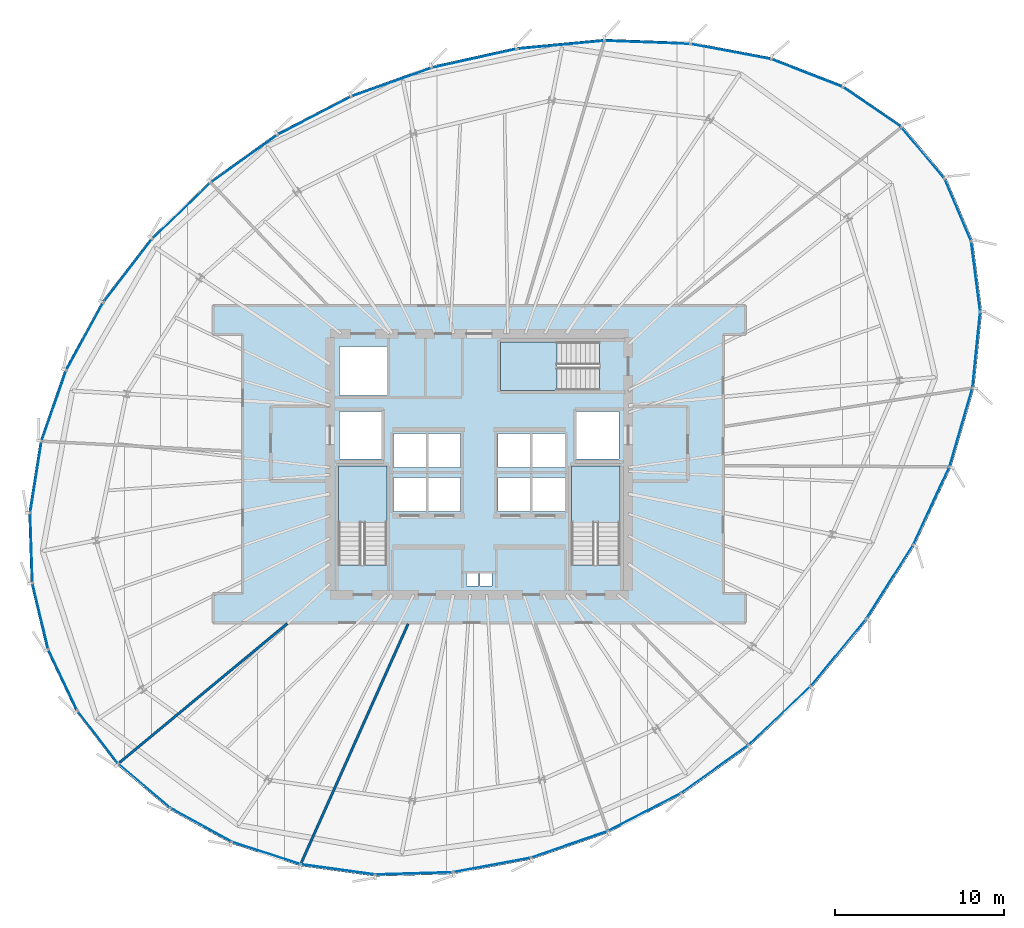
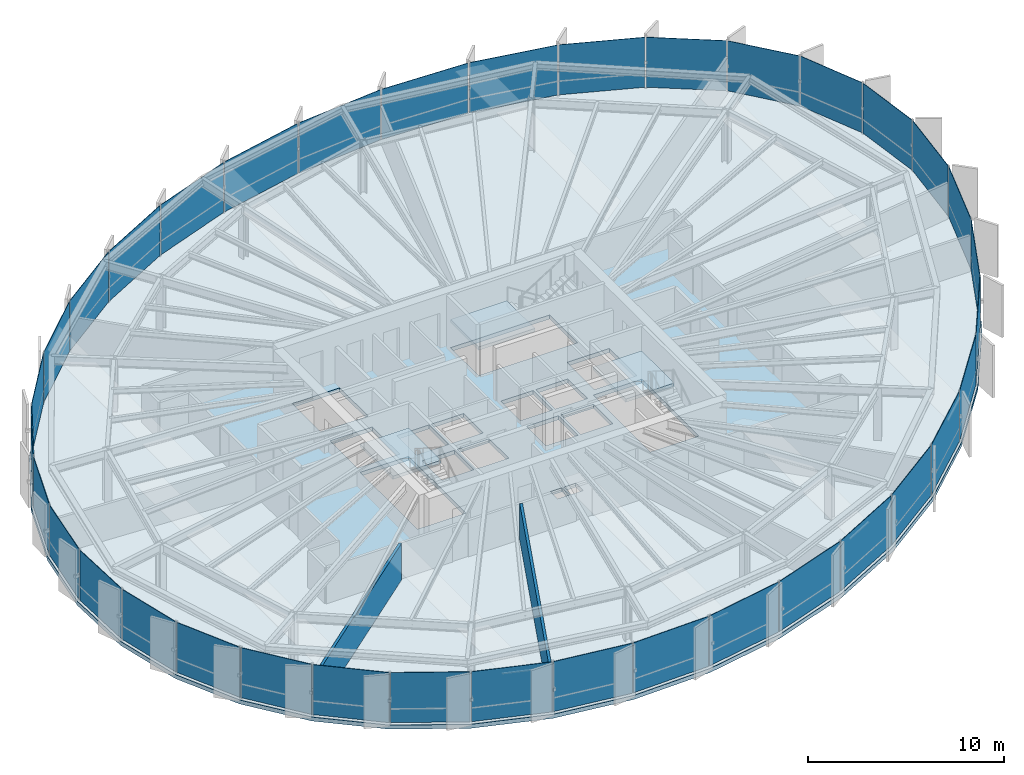
# One storey, part 25 of 32: 36 plates, 4 slabs, 2 walls, 9 elements without a shape of their own.
"""IFC4 building model written with IfcOpenShell, lengths in metres."""

import ifcopenshell
import ifcopenshell.guid

model = None  # the IFC model being written
_history = None  # IfcOwnerHistory: only IFC2X3 demands one
_inside = {}  # id of a spatial element -> (the spatial element, [elements in it])
_under = {}  # id of a project, library or spatial element -> (it, [spatial elements below it])
_declared = {}  # id of a project -> (the project, [libraries it declares])
_typed = {}  # id of a type object -> (the type object, [elements of that type])
_made_of = {}  # id of a material, layer set ... -> (it, [elements and type objects made of it])


def new_model(schema):
    """Start an empty IFC model of exactly this schema.

    Asked for "IFC4X3", IfcOpenShell would pick the latest addendum, in which some entities
    have other attributes; the version numbers below select the first issue.
    IFC2X3 requires an IfcOwnerHistory on every rooted entity: one is made here for all.
    """
    global model, _history
    if schema == "IFC4X3":
        model = ifcopenshell.file(schema_version=(4, 3, 0, 0))
    else:
        model = ifcopenshell.file(schema=schema)
    _inside.clear()
    _under.clear()
    _declared.clear()
    _typed.clear()
    _made_of.clear()
    _history = None
    if model.schema == "IFC2X3":
        org = make("IfcOrganization", Name="unknown")
        user = make(
            "IfcPersonAndOrganization",
            ThePerson=make("IfcPerson", FamilyName="unknown"),
            TheOrganization=org,
        )
        app = make(
            "IfcApplication",
            ApplicationDeveloper=org,
            Version="unknown",
            ApplicationFullName="unknown",
            ApplicationIdentifier="unknown",
        )
        _history = make(
            "IfcOwnerHistory",
            OwningUser=user,
            OwningApplication=app,
            ChangeAction="ADDED",
            CreationDate=0,
        )
    return model


def make(cls, **values):
    """One entity of the class cls with the attributes given. An attribute that is None is left unset."""
    return model.create_entity(
        cls, **{name: value for name, value in values.items() if value is not None}
    )


def rooted(cls, **values):
    """An entity with a GlobalId (a new one), such as an element, a storey or a relation."""
    return make(cls, GlobalId=ifcopenshell.guid.new(), OwnerHistory=_history, **values)


def si_unit(unit_type, name, prefix=None):
    """IfcSIUnit, for example si_unit("LENGTHUNIT", "METRE", prefix="MILLI")."""
    return make("IfcSIUnit", UnitType=unit_type, Prefix=prefix, Name=name)


def assignment(units):
    """IfcUnitAssignment: the units of a project."""
    return None if units is None else make("IfcUnitAssignment", Units=units)


def point(xyz):
    """IfcCartesianPoint."""
    return None if xyz is None else make("IfcCartesianPoint", Coordinates=xyz)


def direction(xyz):
    """IfcDirection."""
    return None if xyz is None else make("IfcDirection", DirectionRatios=xyz)


def frame(location, z_axis=None, x_axis=None):
    """IfcAxis2Placement3D, a coordinate frame: its origin and axes. An axis left out is left unset."""
    return make(
        "IfcAxis2Placement3D",
        Location=point(location),
        Axis=direction(z_axis),
        RefDirection=direction(x_axis),
    )


def frame_2d(location, x_axis=None):
    """IfcAxis2Placement2D, a coordinate frame in the plane: its origin and x axis."""
    return make(
        "IfcAxis2Placement2D", Location=point(location), RefDirection=direction(x_axis)
    )


def origin():
    """The frame at (0, 0, 0) with its axes left unset."""
    return frame((0.0, 0.0, 0.0))


def origin_2d():
    """The frame at (0, 0) in the plane with its x axis left unset."""
    return frame_2d((0.0, 0.0))


def place(relative_to, where):
    """IfcLocalPlacement: puts the frame where relative to a parent placement (None: the world)."""
    return make(
        "IfcLocalPlacement", PlacementRelTo=relative_to, RelativePlacement=where
    )


def context(
    kind, dimensions, precision=None, world=None, true_north=None, identifier=None
):
    """IfcGeometricRepresentationContext, for example the 3D "Model" context."""
    return make(
        "IfcGeometricRepresentationContext",
        ContextIdentifier=identifier,
        ContextType=kind,
        CoordinateSpaceDimension=dimensions,
        Precision=precision,
        WorldCoordinateSystem=world,
        TrueNorth=true_north,
    )


def subcontext(parent, identifier, kind, view, scale=None):
    """IfcGeometricRepresentationSubContext, for example "Body" below "Model"."""
    return make(
        "IfcGeometricRepresentationSubContext",
        ContextIdentifier=identifier,
        ContextType=kind,
        ParentContext=parent,
        TargetScale=scale,
        TargetView=view,
    )


def project(units=None, contexts=None):
    """IfcProject with its units and contexts."""
    return rooted(
        "IfcProject",
        Name="project",
        RepresentationContexts=contexts,
        UnitsInContext=assignment(units),
    )


def spatial(cls, under=None, at=None, **own):
    """A site, building, storey or space (cls), placed at a placement, below another one or the project."""
    s = rooted(cls, ObjectPlacement=at, **own)
    if under is not None:
        _under.setdefault(under.id(), (under, []))[1].append(s)
    return s


def polyline(points):
    """IfcPolyline through the points."""
    return make("IfcPolyline", Points=[point(p) for p in points])


def profile(cls, at=None, kind="AREA", **sizes):
    """A parametric profile (cls). Its sizes go by their IFC names, for example OverallWidth=200.0."""
    return make(cls, ProfileType=kind, Position=at, **sizes)


def rectangle(**sizes):
    """IfcRectangleProfileDef."""
    return profile("IfcRectangleProfileDef", **sizes)


def outline(outer, holes=None, kind="AREA"):
    """IfcArbitraryClosedProfileDef: a profile drawn as a closed curve; with holes, ...WithVoids."""
    if holes is None:
        return make("IfcArbitraryClosedProfileDef", ProfileType=kind, OuterCurve=outer)
    return make(
        "IfcArbitraryProfileDefWithVoids",
        ProfileType=kind,
        OuterCurve=outer,
        InnerCurves=holes,
    )


def extrude(swept, where, along, depth):
    """IfcExtrudedAreaSolid: the profile swept, set in the frame where, extruded along a direction by depth."""
    return make(
        "IfcExtrudedAreaSolid",
        SweptArea=swept,
        Position=where,
        ExtrudedDirection=direction(along),
        Depth=depth,
    )


def shape(context_of_items, identifier, shape_type, items):
    """IfcShapeRepresentation: the items that make up one representation, for example the "Body"."""
    return make(
        "IfcShapeRepresentation",
        ContextOfItems=context_of_items,
        RepresentationIdentifier=identifier,
        RepresentationType=shape_type,
        Items=items,
    )


def source(mapping_origin, context_of_items, identifier, shape_type, items):
    """IfcRepresentationMap: a shape defined once, which mapped items show again and again."""
    return make(
        "IfcRepresentationMap",
        MappingOrigin=mapping_origin,
        MappedRepresentation=shape(context_of_items, identifier, shape_type, items),
    )


def transform(
    local_origin,
    x_axis=None,
    y_axis=None,
    z_axis=None,
    scale=None,
    scale2=None,
    scale3=None,
    uniform=True,
):
    """IfcCartesianTransformationOperator3D, or its non-uniform kind. x_axis, y_axis, z_axis: its Axis1, 2, 3."""
    if uniform:
        return make(
            "IfcCartesianTransformationOperator3D",
            Axis1=direction(x_axis),
            Axis2=direction(y_axis),
            LocalOrigin=point(local_origin),
            Scale=scale,
            Axis3=direction(z_axis),
        )
    return make(
        "IfcCartesianTransformationOperator3DnonUniform",
        Axis1=direction(x_axis),
        Axis2=direction(y_axis),
        LocalOrigin=point(local_origin),
        Scale=scale,
        Axis3=direction(z_axis),
        Scale2=scale2,
        Scale3=scale3,
    )


def mapped(mapping_source, mapping_target):
    """IfcMappedItem: shows the shape of a source again, moved by a transform."""
    return make(
        "IfcMappedItem", MappingSource=mapping_source, MappingTarget=mapping_target
    )


def material(Name=None, Category=None):
    """IfcMaterial."""
    return make("IfcMaterial", Name=Name, Category=Category)


def layer(
    of_material, thickness, ventilated=None, Name=None, Category=None, Priority=None
):
    """IfcMaterialLayer: one layer of a wall or slab, of a material (None: an air gap)."""
    return make(
        "IfcMaterialLayer",
        Material=of_material,
        LayerThickness=thickness,
        IsVentilated=ventilated,
        Name=Name,
        Category=Category,
        Priority=Priority,
    )


def layer_set(layers, Name=None):
    """IfcMaterialLayerSet."""
    return make("IfcMaterialLayerSet", MaterialLayers=layers, LayerSetName=Name)


def made_of(thing, what):
    """Note that an element or type object is made of a material, layer set ...; save() writes the relation."""
    if what is not None:
        _made_of.setdefault(what.id(), (what, []))[1].append(thing)
    return thing


def type_object(cls, material=None, **own):
    """A type object (cls), such as IfcWallType, which elements share."""
    return made_of(rooted(cls, **own), material)


def element(
    cls,
    number,
    at=None,
    inside=None,
    cuts=None,
    type_object=None,
    material=None,
    context=None,
    identifier="Body",
    shape_type=None,
    held_by="IfcProductDefinitionShape",
    body=None,
    shapes=None,
    **own,
):
    """One element of the class cls, such as IfcWall. Its Tag is "e" and its number.

    at: its placement. inside: the storey or other place that contains it. cuts: it is an
    opening in that element (IfcRelVoidsElement). A single representation is given by context,
    identifier, shape_type and body (its items); several are given by shapes. held_by: the class
    of the entity that holds the representations. save() writes the other relations.
    """
    e = rooted(cls, Tag="e%d" % number, ObjectPlacement=at, **own)
    if body is not None:
        shapes = [shape(context, identifier, shape_type, body)]
    if shapes is not None:
        e.Representation = make(held_by, Representations=shapes)
    if inside is not None:
        _inside.setdefault(inside.id(), (inside, []))[1].append(e)
    if cuts is not None:
        rooted(
            "IfcRelVoidsElement", RelatingBuildingElement=cuts, RelatedOpeningElement=e
        )
    if type_object is not None:
        _typed.setdefault(type_object.id(), (type_object, []))[1].append(e)
    return made_of(e, material)


def aggregate(whole, parts):
    """IfcRelAggregates: a whole, such as a stair, and the parts it consists of."""
    return rooted("IfcRelAggregates", RelatingObject=whole, RelatedObjects=parts)


def save(model, path):
    """Write the relations noted so far, then the file.

    IfcRelAggregates (storeys below a building ...), IfcRelContainedInSpatialStructure (elements
    in a storey), IfcRelDefinesByType, IfcRelAssociatesMaterial and IfcRelDeclares: one each for
    every whole, place, type object, material and project.
    """
    for whole, parts in _under.values():
        aggregate(whole, parts)
    for where, things in _inside.values():
        rooted(
            "IfcRelContainedInSpatialStructure",
            RelatedElements=things,
            RelatingStructure=where,
        )
    for kind, things in _typed.values():
        rooted("IfcRelDefinesByType", RelatedObjects=things, RelatingType=kind)
    for what, things in _made_of.values():
        rooted("IfcRelAssociatesMaterial", RelatedObjects=things, RelatingMaterial=what)
    for by, libraries in _declared.values():
        rooted("IfcRelDeclares", RelatingContext=by, RelatedDefinitions=libraries)
    model.write(path)


model = new_model("IFC4")

# Units and contexts
model_context = context("Model", 3, precision=1e-05, world=origin(), true_north=direction((0.0, 1.0)))
body_context = subcontext(model_context, "Body", "Model", "MODEL_VIEW")
ifc_project = project(units=[si_unit("LENGTHUNIT", "METRE"), si_unit("AREAUNIT", "SQUARE_METRE"), si_unit("VOLUMEUNIT", "CUBIC_METRE"), si_unit("PLANEANGLEUNIT", "RADIAN"), si_unit("MASSUNIT", "GRAM", prefix="KILO"), si_unit("THERMODYNAMICTEMPERATUREUNIT", "KELVIN")], contexts=[model_context])

# Site, building, storey
site_placement = place(None, origin())
site = spatial("IfcSite", under=ifc_project, at=site_placement, CompositionType="ELEMENT")
building_placement = place(site_placement, origin())
building = spatial("IfcBuilding", under=site, at=building_placement, Name="Kethvar Cultural Tower", CompositionType="ELEMENT")
storey_placement = place(building_placement, frame((0.0, 0.0, 160.75)))
storey = spatial("IfcBuildingStorey", under=building, at=storey_placement, Name="L41", CompositionType="ELEMENT", Elevation=160.75)

# Stair, slab
ifc_material_1 = material(Name="Concrete C40/50", Category="concrete")
stair_type = type_object("IfcStairType", Name="ST-DOGLEG-135", PredefinedType="HALF_TURN_STAIR", material=ifc_material_1)
stair_1_placement = place(storey_placement, origin())
stair_1 = element("IfcStair", 1, at=stair_1_placement, inside=storey, type_object=stair_type, Name="L41 Core Exit Stair 1", PredefinedType="HALF_TURN_STAIR")
ifc_layer_1 = layer(ifc_material_1, 0.199951171875, Name="Concrete C40/50", Category="concrete")
ifc_layer_set_1 = layer_set([ifc_layer_1], Name="Concrete C40/50 (200 mm)")
slab_type_1 = type_object("IfcSlabType", Name="SL-STAIR-LANDING-200", PredefinedType="LANDING", material=ifc_layer_set_1)
slab_1_placement = place(storey_placement, frame((0.0, 0.0, 1.574951171875)))
slab_1 = element("IfcSlab", 2, at=slab_1_placement, type_object=slab_type_1, Name="ST-01 landing 1", PredefinedType="LANDING", context=body_context, shape_type="SweptSolid", body=[
    extrude(outline(polyline([(41.35009765625, 24.3701171875), (41.35009765625, 27.699951171875), (38.489990234375, 27.699951171875), (38.489990234375, 24.3701171875), (41.35009765625, 24.3701171875)])), origin(), (0.0, 0.0, 1.0), 0.199951171875),
])
aggregate(stair_1, [slab_1])

stair_2_placement = place(storey_placement, origin())
stair_2 = element("IfcStair", 3, at=stair_2_placement, inside=storey, type_object=stair_type, Name="L41 Core Exit Stair 2", PredefinedType="HALF_TURN_STAIR")
slab_2_placement = place(storey_placement, frame((0.0, 0.0, 1.574951171875)))
slab_2 = element("IfcSlab", 4, at=slab_2_placement, type_object=slab_type_1, Name="ST-02 landing 1", PredefinedType="LANDING", context=body_context, shape_type="SweptSolid", body=[
    extrude(outline(polyline([(55.110107421875, 24.3701171875), (55.110107421875, 27.699951171875), (52.25, 27.699951171875), (52.25, 24.3701171875), (55.110107421875, 24.3701171875)])), origin(), (0.0, 0.0, 1.0), 0.199951171875),
])
aggregate(stair_2, [slab_2])

stair_3_placement = place(storey_placement, origin())
stair_3 = element("IfcStair", 5, at=stair_3_placement, inside=storey, type_object=stair_type, Name="L41 Core Exit Stair 3", PredefinedType="HALF_TURN_STAIR")
slab_3_placement = place(storey_placement, frame((0.0, 0.0, 1.574951171875)))
slab_3 = element("IfcSlab", 6, at=slab_3_placement, type_object=slab_type_1, Name="ST-03 landing 1", PredefinedType="LANDING", context=body_context, shape_type="SweptSolid", body=[
    extrude(outline(polyline([(51.3798828125, 35.010009765625), (48.050048828125, 35.010009765625), (48.050048828125, 32.14990234375), (51.3798828125, 32.14990234375), (51.3798828125, 35.010009765625)])), origin(), (0.0, 0.0, 1.0), 0.199951171875),
])
aggregate(stair_3, [slab_3])

# Slab
ifc_layer_2 = layer(ifc_material_1, 0.25, Name="Concrete C40/50", Category="concrete")
ifc_layer_set_2 = layer_set([ifc_layer_2], Name="Concrete C40/50 (250 mm)")
slab_type_2 = type_object("IfcSlabType", Name="SL-TOW-250", PredefinedType="FLOOR", material=ifc_layer_set_2)
slab_4_placement = place(storey_placement, frame((0.0, 0.0, -0.25)))
element("IfcSlab", 7, at=slab_4_placement, inside=storey, type_object=slab_type_2, Name="L41 Structural Floor Slab", PredefinedType="FLOOR", context=body_context, shape_type="SweptSolid", body=[
    extrude(outline(polyline([(74.3544921875, 44.685302734375), (71.775390625, 47.765869140625), (68.288818359375, 50.1484375), (64.053466796875, 51.793212890625), (59.274658203125, 52.697265625), (54.182861328125, 52.88525390625), (49.009033203125, 52.398193359375), (43.961181640625, 51.2822265625), (39.20458984375, 49.578369140625), (34.84228515625, 47.31298828125), (30.890869140625, 44.483642578125), (27.422607421875, 41.147216796875), (24.54296875, 37.405517578125), (22.33984375, 33.371826171875), (20.8798828125, 29.1689453125), (20.20751953125, 24.92431640625), (20.343017578125, 20.76708984375), (21.282470703125, 16.823486328125), (22.997314453125, 13.213623046875), (25.435302734375, 10.046875), (28.5224609375, 7.41943359375), (32.164794921875, 5.411376953125), (36.252197265625, 4.08349609375), (40.659912109375, 3.476318359375), (45.254150390625, 3.608154296875), (49.8955078125, 4.47509765625), (54.442626953125, 6.050537109375), (58.757568359375, 8.287109375), (62.75634765625, 11.145263671875), (66.43408203125, 14.60986328125), (69.72021484375, 18.600830078125), (72.5029296875, 22.98974609375), (74.647216796875, 27.61181640625), (76.010986328125, 32.2802734375), (76.468505859375, 36.80078125), (75.928466796875, 40.989013671875), (74.3544921875, 44.685302734375)]), holes=[polyline([(38.489990234375, 21.85009765625), (38.489990234375, 27.699951171875), (41.35009765625, 27.699951171875), (41.35009765625, 21.85009765625), (38.489990234375, 21.85009765625)]), polyline([(52.25, 21.85009765625), (52.25, 27.699951171875), (55.110107421875, 27.699951171875), (55.110107421875, 21.85009765625), (52.25, 21.85009765625)]), polyline([(53.89990234375, 32.14990234375), (48.050048828125, 32.14990234375), (48.050048828125, 35.010009765625), (53.89990234375, 35.010009765625), (53.89990234375, 32.14990234375)]), polyline([(41.75, 27.0), (43.64990234375, 27.0), (43.64990234375, 25.0), (41.75, 25.0), (41.75, 27.0)]), polyline([(43.800048828125, 27.0), (45.699951171875, 27.0), (45.699951171875, 25.0), (43.800048828125, 25.0), (43.800048828125, 27.0)]), polyline([(47.89990234375, 27.0), (49.800048828125, 27.0), (49.800048828125, 25.0), (47.89990234375, 25.0), (47.89990234375, 27.0)]), polyline([(49.949951171875, 27.0), (51.85009765625, 27.0), (51.85009765625, 25.0), (49.949951171875, 25.0), (49.949951171875, 27.0)]), polyline([(41.75, 29.60009765625), (43.64990234375, 29.60009765625), (43.64990234375, 27.60009765625), (41.75, 27.60009765625), (41.75, 29.60009765625)]), polyline([(43.800048828125, 29.60009765625), (45.699951171875, 29.60009765625), (45.699951171875, 27.60009765625), (43.800048828125, 27.60009765625), (43.800048828125, 29.60009765625)]), polyline([(47.89990234375, 29.60009765625), (49.800048828125, 29.60009765625), (49.800048828125, 27.60009765625), (47.89990234375, 27.60009765625), (47.89990234375, 29.60009765625)]), polyline([(49.949951171875, 29.60009765625), (51.85009765625, 29.60009765625), (51.85009765625, 27.60009765625), (49.949951171875, 27.60009765625), (49.949951171875, 29.60009765625)]), polyline([(38.550048828125, 30.89990234375), (41.050048828125, 30.89990234375), (41.050048828125, 28.10009765625), (38.550048828125, 28.10009765625), (38.550048828125, 30.89990234375)]), polyline([(52.550048828125, 30.89990234375), (55.050048828125, 30.89990234375), (55.050048828125, 28.10009765625), (52.550048828125, 28.10009765625), (52.550048828125, 30.89990234375)]), polyline([(38.550048828125, 34.75), (41.35009765625, 34.75), (41.35009765625, 31.85009765625), (38.550048828125, 31.85009765625), (38.550048828125, 34.75)]), polyline([(46.050048828125, 21.35009765625), (46.75, 21.35009765625), (46.75, 20.60009765625), (46.050048828125, 20.60009765625), (46.050048828125, 21.35009765625)]), polyline([(46.85009765625, 21.35009765625), (47.550048828125, 21.35009765625), (47.550048828125, 20.60009765625), (46.85009765625, 20.60009765625), (46.85009765625, 21.35009765625)])]), origin(), (0.0, 0.0, 1.0), 0.25),
])

# Curtain wall, plates
ifc_material_2 = material(Name="Aluminium 6063-T6", Category="aluminium")
ifc_layer_3 = layer(ifc_material_2, 0.179931640625, Name="Aluminium 6063-T6", Category="aluminium")
ifc_layer_set_3 = layer_set([ifc_layer_3], Name="Aluminium 6063-T6 (180 mm)")
curtain_wall_type = type_object("IfcCurtainWallType", Name="CW-SYS-04-Z34", PredefinedType="NOTDEFINED", material=ifc_layer_set_3)
curtain_wall_1_placement = place(storey_placement, origin())
curtain_wall_1 = element("IfcCurtainWall", 8, at=curtain_wall_1_placement, inside=storey, type_object=curtain_wall_type, Name="L41 Curtain Wall Run 01", PredefinedType="NOTDEFINED")
ifc_material_3 = material(Name="Insulated Low-E Solar Glass", Category="glass")
ifc_layer_4 = layer(ifc_material_3, 0.030029296875, Name="Insulated Low-E Solar Glass", Category="glass")
ifc_layer_set_4 = layer_set([ifc_layer_4], Name="Insulated Low-E Solar Glass (30 mm)")
plate_type = type_object("IfcPlateType", Name="CW-SYS-04-Z34-PNL", PredefinedType="CURTAIN_PANEL", material=ifc_layer_set_4)
shared_shape_1 = source(origin(), body_context, "Body", "SweptSolid", [
    extrude(rectangle(XDim=3.930908203125, YDim=0.030029296875, at=origin_2d()), origin(), (0.0, 0.0, 1.0), 3.1201171875),
])
plate_1_placement = place(storey_placement, frame((72.980712890625, 46.155029296875, 0.08984375), z_axis=(0.0, 0.0, 1.0), x_axis=(-0.641931529001, 0.766761965719, 0.0)))
plate_1 = element("IfcPlate", 9, at=plate_1_placement, type_object=plate_type, Name="CW-L41-R01 Vision Glazing Panel 1", PredefinedType="CURTAIN_PANEL", context=body_context, shape_type="MappedRepresentation", body=[
    mapped(shared_shape_1, transform((0.0, 0.0, 0.0), scale=1.0)),
])
shared_shape_2 = source(origin(), body_context, "Body", "SweptSolid", [
    extrude(rectangle(XDim=4.136474609375, YDim=0.030029296875, at=origin_2d()), origin(), (0.0, 0.0, 1.0), 3.1201171875),
])
plate_2_placement = place(storey_placement, frame((69.97021484375, 48.8662109375, 0.08984375), z_axis=(0.0, 0.0, 1.0), x_axis=(-0.825635753513, 0.564203511617, 0.0)))
plate_2 = element("IfcPlate", 10, at=plate_2_placement, type_object=plate_type, Name="CW-L41-R01 Vision Glazing Panel 2", PredefinedType="CURTAIN_PANEL", context=body_context, shape_type="MappedRepresentation", body=[
    mapped(shared_shape_2, transform((0.0, 0.0, 0.0), scale=1.0)),
])
shared_shape_3 = source(origin(), body_context, "Body", "SweptSolid", [
    extrude(rectangle(XDim=4.457275390625, YDim=0.030029296875, at=origin_2d()), origin(), (0.0, 0.0, 1.0), 3.1201171875),
])
plate_3_placement = place(storey_placement, frame((66.13134765625, 50.868408203125, 0.08984375), z_axis=(0.0, 0.0, 1.0), x_axis=(-0.932165923985, 0.362031338646, 0.0)))
plate_3 = element("IfcPlate", 11, at=plate_3_placement, type_object=plate_type, Name="CW-L41-R01 Vision Glazing Panel 3", PredefinedType="CURTAIN_PANEL", context=body_context, shape_type="MappedRepresentation", body=[
    mapped(shared_shape_3, transform((0.0, 0.0, 0.0), scale=1.0)),
])
shared_shape_4 = source(origin(), body_context, "Body", "SweptSolid", [
    extrude(rectangle(XDim=4.777099609375, YDim=0.030029296875, at=origin_2d()), origin(), (0.0, 0.0, 1.0), 3.1201171875),
])
plate_4_placement = place(storey_placement, frame((61.643798828125, 52.13720703125, 0.08984375), z_axis=(0.0, 0.0, 1.0), x_axis=(-0.982573889068, 0.185872409255, 0.0)))
plate_4 = element("IfcPlate", 12, at=plate_4_placement, type_object=plate_type, Name="CW-L41-R01 Vision Glazing Panel 4", PredefinedType="CURTAIN_PANEL", context=body_context, shape_type="MappedRepresentation", body=[
    mapped(shared_shape_4, transform((0.0, 0.0, 0.0), scale=1.0)),
])

# Curtain wall, plate
curtain_wall_2_placement = place(storey_placement, origin())
curtain_wall_2 = element("IfcCurtainWall", 13, at=curtain_wall_2_placement, inside=storey, type_object=curtain_wall_type, Name="L41 Curtain Wall Run 06", PredefinedType="NOTDEFINED")
plate_5_placement = place(storey_placement, frame((75.223388671875, 29.97705078125, 0.08984375), z_axis=(0.0, 0.0, 1.0), x_axis=(0.280448928785, 0.959868948525, 0.0)))
plate_5 = element("IfcPlate", 14, at=plate_5_placement, type_object=plate_type, Name="CW-L41-R06 Vision Glazing Panel 3", PredefinedType="CURTAIN_PANEL", context=body_context, shape_type="MappedRepresentation", body=[
    mapped(shared_shape_4, transform((0.0, 0.0, 0.0), scale=1.0)),
])

# Plate
shared_shape_5 = source(origin(), body_context, "Body", "SweptSolid", [
    extrude(rectangle(XDim=5.0087890625, YDim=0.030029296875, at=origin_2d()), origin(), (0.0, 0.0, 1.0), 3.1201171875),
])
plate_6_placement = place(storey_placement, frame((56.724853515625, 52.681396484375, 0.08984375), z_axis=(0.0, 0.0, 1.0), x_axis=(-0.999318766232, 0.03690533101, 0.0)))
plate_6 = element("IfcPlate", 15, at=plate_6_placement, type_object=plate_type, Name="CW-L41-R01 Vision Glazing Panel 5", PredefinedType="CURTAIN_PANEL", context=body_context, shape_type="MappedRepresentation", body=[
    mapped(shared_shape_5, transform((0.0, 0.0, 0.0), scale=1.0)),
])

plate_7_placement = place(storey_placement, frame((73.47509765625, 25.34716796875, 0.08984375), z_axis=(0.0, 0.0, 1.0), x_axis=(0.420814168138, 0.90714686567, 0.0)))
plate_7 = element("IfcPlate", 16, at=plate_7_placement, type_object=plate_type, Name="CW-L41-R06 Vision Glazing Panel 2", PredefinedType="CURTAIN_PANEL", context=body_context, shape_type="MappedRepresentation", body=[
    mapped(shared_shape_5, transform((0.0, 0.0, 0.0), scale=1.0)),
])

shared_shape_6 = source(origin(), body_context, "Body", "SweptSolid", [
    extrude(rectangle(XDim=5.1103515625, YDim=0.030029296875, at=origin_2d()), origin(), (0.0, 0.0, 1.0), 3.1201171875),
])
plate_8_placement = place(storey_placement, frame((51.606201171875, 52.5322265625, 0.08984375), z_axis=(0.0, 0.0, 1.0), x_axis=(-0.995599661887, -0.09370866156, 0.0)))
plate_8 = element("IfcPlate", 17, at=plate_8_placement, type_object=plate_type, Name="CW-L41-R01 Vision Glazing Panel 6", PredefinedType="CURTAIN_PANEL", context=body_context, shape_type="MappedRepresentation", body=[
    mapped(shared_shape_6, transform((0.0, 0.0, 0.0), scale=1.0)),
])

aggregate(curtain_wall_1, [plate_1, plate_2, plate_3, plate_4, plate_6, plate_8])

# Curtain wall, plate
curtain_wall_3_placement = place(storey_placement, origin())
curtain_wall_3 = element("IfcCurtainWall", 18, at=curtain_wall_3_placement, inside=storey, type_object=curtain_wall_type, Name="L41 Curtain Wall Run 02", PredefinedType="NOTDEFINED")
shared_shape_7 = source(origin(), body_context, "Body", "SweptSolid", [
    extrude(rectangle(XDim=5.08349609375, YDim=0.030029296875, at=origin_2d()), origin(), (0.0, 0.0, 1.0), 3.1201171875),
])
plate_9_placement = place(storey_placement, frame((46.5087890625, 51.73291015625, 0.08984375), z_axis=(0.0, 0.0, 1.0), x_axis=(-0.976420505449, -0.215877271936, 0.0)))
plate_9 = element("IfcPlate", 19, at=plate_9_placement, type_object=plate_type, Name="CW-L41-R02 Vision Glazing Panel 1", PredefinedType="CURTAIN_PANEL", context=body_context, shape_type="MappedRepresentation", body=[
    mapped(shared_shape_7, transform((0.0, 0.0, 0.0), scale=1.0)),
])

curtain_wall_4_placement = place(storey_placement, origin())
curtain_wall_4 = element("IfcCurtainWall", 20, at=curtain_wall_4_placement, inside=storey, type_object=curtain_wall_type, Name="L41 Curtain Wall Run 05", PredefinedType="NOTDEFINED")
plate_10_placement = place(storey_placement, frame((67.9921875, 16.67529296875, 0.08984375), z_axis=(0.0, 0.0, 1.0), x_axis=(0.635633690944, 0.771990810138, 0.0)))
plate_10 = element("IfcPlate", 21, at=plate_10_placement, type_object=plate_type, Name="CW-L41-R05 Vision Glazing Panel 6", PredefinedType="CURTAIN_PANEL", context=body_context, shape_type="MappedRepresentation", body=[
    mapped(shared_shape_7, transform((0.0, 0.0, 0.0), scale=1.0)),
])

# Plate
shared_shape_8 = source(origin(), body_context, "Body", "SweptSolid", [
    extrude(rectangle(XDim=4.96630859375, YDim=0.030029296875, at=origin_2d()), origin(), (0.0, 0.0, 1.0), 3.1201171875),
])
plate_11_placement = place(storey_placement, frame((41.6201171875, 50.326904296875, 0.08984375), z_axis=(0.0, 0.0, 1.0), x_axis=(-0.941417582398, -0.337243140111, 0.0)))
plate_11 = element("IfcPlate", 22, at=plate_11_placement, type_object=plate_type, Name="CW-L41-R02 Vision Glazing Panel 2", PredefinedType="CURTAIN_PANEL", context=body_context, shape_type="MappedRepresentation", body=[
    mapped(shared_shape_8, transform((0.0, 0.0, 0.0), scale=1.0)),
])

plate_12_placement = place(storey_placement, frame((64.519775390625, 12.957763671875, 0.08984375), z_axis=(0.0, 0.0, 1.0), x_axis=(0.727892444455, 0.685691322174, 0.0)))
plate_12 = element("IfcPlate", 23, at=plate_12_placement, type_object=plate_type, Name="CW-L41-R05 Vision Glazing Panel 5", PredefinedType="CURTAIN_PANEL", context=body_context, shape_type="MappedRepresentation", body=[
    mapped(shared_shape_8, transform((0.0, 0.0, 0.0), scale=1.0)),
])

shared_shape_9 = source(origin(), body_context, "Body", "SweptSolid", [
    extrude(rectangle(XDim=4.8291015625, YDim=0.030029296875, at=origin_2d()), origin(), (0.0, 0.0, 1.0), 3.1201171875),
])
plate_13_placement = place(storey_placement, frame((37.07421875, 48.34814453125, 0.08984375), z_axis=(0.0, 0.0, 1.0), x_axis=(-0.88746975908, -0.46086595309, 0.0)))
plate_13 = element("IfcPlate", 24, at=plate_13_placement, type_object=plate_type, Name="CW-L41-R02 Vision Glazing Panel 3", PredefinedType="CURTAIN_PANEL", context=body_context, shape_type="MappedRepresentation", body=[
    mapped(shared_shape_9, transform((0.0, 0.0, 0.0), scale=1.0)),
])

shared_shape_10 = source(origin(), body_context, "Body", "SweptSolid", [
    extrude(rectangle(XDim=4.773681640625, YDim=0.030029296875, at=origin_2d()), origin(), (0.0, 0.0, 1.0), 3.1201171875),
])
plate_14_placement = place(storey_placement, frame((32.9306640625, 45.808837890625, 0.08984375), z_axis=(0.0, 0.0, 1.0), x_axis=(-0.813070280045, -0.582165543216, 0.0)))
plate_14 = element("IfcPlate", 25, at=plate_14_placement, type_object=plate_type, Name="CW-L41-R02 Vision Glazing Panel 4", PredefinedType="CURTAIN_PANEL", context=body_context, shape_type="MappedRepresentation", body=[
    mapped(shared_shape_10, transform((0.0, 0.0, 0.0), scale=1.0)),
])

plate_15_placement = place(storey_placement, frame((56.549560546875, 7.2666015625, 0.08984375), z_axis=(0.0, 0.0, 1.0), x_axis=(0.887839479924, 0.460153298248, 0.0)))
plate_15 = element("IfcPlate", 26, at=plate_15_placement, type_object=plate_type, Name="CW-L41-R05 Vision Glazing Panel 3", PredefinedType="CURTAIN_PANEL", context=body_context, shape_type="MappedRepresentation", body=[
    mapped(shared_shape_10, transform((0.0, 0.0, 0.0), scale=1.0)),
])

shared_shape_11 = source(origin(), body_context, "Body", "SweptSolid", [
    extrude(rectangle(XDim=4.72607421875, YDim=0.030029296875, at=origin_2d()), origin(), (0.0, 0.0, 1.0), 3.1201171875),
])
plate_16_placement = place(storey_placement, frame((29.23291015625, 42.736083984375, 0.08984375), z_axis=(0.0, 0.0, 1.0), x_axis=(-0.720684221995, -0.693263479615, 0.0)))
plate_16 = element("IfcPlate", 27, at=plate_16_placement, type_object=plate_type, Name="CW-L41-R02 Vision Glazing Panel 5", PredefinedType="CURTAIN_PANEL", context=body_context, shape_type="MappedRepresentation", body=[
    mapped(shared_shape_11, transform((0.0, 0.0, 0.0), scale=1.0)),
])

plate_17_placement = place(storey_placement, frame((52.133056640625, 5.36669921875, 0.08984375), z_axis=(0.0, 0.0, 1.0), x_axis=(0.944886073416, 0.327399310115, 0.0)))
plate_17 = element("IfcPlate", 28, at=plate_17_placement, type_object=plate_type, Name="CW-L41-R05 Vision Glazing Panel 2", PredefinedType="CURTAIN_PANEL", context=body_context, shape_type="MappedRepresentation", body=[
    mapped(shared_shape_11, transform((0.0, 0.0, 0.0), scale=1.0)),
])

shared_shape_12 = source(origin(), body_context, "Body", "SweptSolid", [
    extrude(rectangle(XDim=4.635009765625, YDim=0.030029296875, at=origin_2d()), origin(), (0.0, 0.0, 1.0), 3.1201171875),
])
plate_18_placement = place(storey_placement, frame((26.06982421875, 39.20947265625, 0.08984375), z_axis=(0.0, 0.0, 1.0), x_axis=(-0.609868565477, -0.792502575922, 0.0)))
plate_18 = element("IfcPlate", 29, at=plate_18_placement, type_object=plate_type, Name="CW-L41-R02 Vision Glazing Panel 6", PredefinedType="CURTAIN_PANEL", context=body_context, shape_type="MappedRepresentation", body=[
    mapped(shared_shape_12, transform((0.0, 0.0, 0.0), scale=1.0)),
])

aggregate(curtain_wall_3, [plate_9, plate_11, plate_13, plate_14, plate_16, plate_18])

plate_19_placement = place(storey_placement, frame((47.5546875, 4.149658203125, 0.08984375), z_axis=(0.0, 0.0, 1.0), x_axis=(0.982999500399, 0.183608230249, 0.0)))
plate_19 = element("IfcPlate", 30, at=plate_19_placement, type_object=plate_type, Name="CW-L41-R05 Vision Glazing Panel 1", PredefinedType="CURTAIN_PANEL", context=body_context, shape_type="MappedRepresentation", body=[
    mapped(shared_shape_12, transform((0.0, 0.0, 0.0), scale=1.0)),
])

# Curtain wall, plate
curtain_wall_5_placement = place(storey_placement, origin())
curtain_wall_5 = element("IfcCurtainWall", 31, at=curtain_wall_5_placement, inside=storey, type_object=curtain_wall_type, Name="L41 Curtain Wall Run 03", PredefinedType="NOTDEFINED")
shared_shape_13 = source(origin(), body_context, "Body", "SweptSolid", [
    extrude(rectangle(XDim=4.509765625, YDim=0.030029296875, at=origin_2d()), origin(), (0.0, 0.0, 1.0), 3.1201171875),
])
plate_20_placement = place(storey_placement, frame((23.537841796875, 35.3359375, 0.08984375), z_axis=(0.0, 0.0, 1.0), x_axis=(-0.479350641899, -0.877623473997, 0.0)))
plate_20 = element("IfcPlate", 32, at=plate_20_placement, type_object=plate_type, Name="CW-L41-R03 Vision Glazing Panel 1", PredefinedType="CURTAIN_PANEL", context=body_context, shape_type="MappedRepresentation", body=[
    mapped(shared_shape_13, transform((0.0, 0.0, 0.0), scale=1.0)),
])

curtain_wall_6_placement = place(storey_placement, origin())
curtain_wall_6 = element("IfcCurtainWall", 33, at=curtain_wall_6_placement, inside=storey, type_object=curtain_wall_type, Name="L41 Curtain Wall Run 04", PredefinedType="NOTDEFINED")
plate_21_placement = place(storey_placement, frame((42.953857421875, 3.652099609375, 0.08984375), z_axis=(0.0, 0.0, 1.0), x_axis=(0.999588878579, 0.028671829763, 0.0)))
plate_21 = element("IfcPlate", 34, at=plate_21_placement, type_object=plate_type, Name="CW-L41-R04 Vision Glazing Panel 6", PredefinedType="CURTAIN_PANEL", context=body_context, shape_type="MappedRepresentation", body=[
    mapped(shared_shape_13, transform((0.0, 0.0, 0.0), scale=1.0)),
])

# Plate
shared_shape_14 = source(origin(), body_context, "Body", "SweptSolid", [
    extrude(rectangle(XDim=4.36279296875, YDim=0.030029296875, at=origin_2d()), origin(), (0.0, 0.0, 1.0), 3.1201171875),
])
plate_22_placement = place(storey_placement, frame((21.713623046875, 31.234130859375, 0.08984375), z_axis=(0.0, 0.0, 1.0), x_axis=(-0.328141320847, -0.944628643199, 0.0)))
plate_22 = element("IfcPlate", 35, at=plate_22_placement, type_object=plate_type, Name="CW-L41-R03 Vision Glazing Panel 2", PredefinedType="CURTAIN_PANEL", context=body_context, shape_type="MappedRepresentation", body=[
    mapped(shared_shape_14, transform((0.0, 0.0, 0.0), scale=1.0)),
])

shared_shape_15 = source(origin(), body_context, "Body", "SweptSolid", [
    extrude(rectangle(XDim=4.211181640625, YDim=0.030029296875, at=origin_2d()), origin(), (0.0, 0.0, 1.0), 3.1201171875),
])
plate_23_placement = place(storey_placement, frame((20.65234375, 27.029296875, 0.08984375), z_axis=(0.0, 0.0, 1.0), x_axis=(-0.156468941772, -0.9876828794, 0.0)))
plate_23 = element("IfcPlate", 36, at=plate_23_placement, type_object=plate_type, Name="CW-L41-R03 Vision Glazing Panel 3", PredefinedType="CURTAIN_PANEL", context=body_context, shape_type="MappedRepresentation", body=[
    mapped(shared_shape_15, transform((0.0, 0.0, 0.0), scale=1.0)),
])

shared_shape_16 = source(origin(), body_context, "Body", "SweptSolid", [
    extrude(rectangle(XDim=4.072998046875, YDim=0.030029296875, at=origin_2d()), origin(), (0.0, 0.0, 1.0), 3.1201171875),
])
plate_24_placement = place(storey_placement, frame((20.385009765625, 22.849365234375, 0.08984375), z_axis=(0.0, 0.0, 1.0), x_axis=(0.032579530921, -0.99946914618, 0.0)))
plate_24 = element("IfcPlate", 37, at=plate_24_placement, type_object=plate_type, Name="CW-L41-R03 Vision Glazing Panel 4", PredefinedType="CURTAIN_PANEL", context=body_context, shape_type="MappedRepresentation", body=[
    mapped(shared_shape_16, transform((0.0, 0.0, 0.0), scale=1.0)),
])

plate_25_placement = place(storey_placement, frame((30.396728515625, 6.51171875, 0.08984375), z_axis=(0.0, 0.0, 1.0), x_axis=(0.87572587978, -0.482808640648, 0.0)))
plate_25 = element("IfcPlate", 38, at=plate_25_placement, type_object=plate_type, Name="CW-L41-R04 Vision Glazing Panel 3", PredefinedType="CURTAIN_PANEL", context=body_context, shape_type="MappedRepresentation", body=[
    mapped(shared_shape_16, transform((0.0, 0.0, 0.0), scale=1.0)),
])

shared_shape_17 = source(origin(), body_context, "Body", "SweptSolid", [
    extrude(rectangle(XDim=3.967529296875, YDim=0.030029296875, at=origin_2d()), origin(), (0.0, 0.0, 1.0), 3.1201171875),
])
plate_26_placement = place(storey_placement, frame((20.919677734375, 18.82080078125, 0.08984375), z_axis=(0.0, 0.0, 1.0), x_axis=(0.231747903494, -0.972775878209, 0.0)))
plate_26 = element("IfcPlate", 39, at=plate_26_placement, type_object=plate_type, Name="CW-L41-R03 Vision Glazing Panel 5", PredefinedType="CURTAIN_PANEL", context=body_context, shape_type="MappedRepresentation", body=[
    mapped(shared_shape_17, transform((0.0, 0.0, 0.0), scale=1.0)),
])

shared_shape_18 = source(origin(), body_context, "Body", "SweptSolid", [
    extrude(rectangle(XDim=3.91015625, YDim=0.030029296875, at=origin_2d()), origin(), (0.0, 0.0, 1.0), 3.1201171875),
])
plate_27_placement = place(storey_placement, frame((22.2392578125, 15.06591796875, 0.08984375), z_axis=(0.0, 0.0, 1.0), x_axis=(0.429061258622, -0.903275393415, 0.0)))
plate_27 = element("IfcPlate", 40, at=plate_27_placement, type_object=plate_type, Name="CW-L41-R03 Vision Glazing Panel 6", PredefinedType="CURTAIN_PANEL", context=body_context, shape_type="MappedRepresentation", body=[
    mapped(shared_shape_18, transform((0.0, 0.0, 0.0), scale=1.0)),
])

aggregate(curtain_wall_5, [plate_20, plate_22, plate_23, plate_24, plate_26, plate_27])

plate_28_placement = place(storey_placement, frame((24.303466796875, 11.697265625, 0.08984375), z_axis=(0.0, 0.0, 1.0), x_axis=(0.610020703808, -0.792385474959, 0.0)))
plate_28 = element("IfcPlate", 41, at=plate_28_placement, type_object=plate_type, Name="CW-L41-R04 Vision Glazing Panel 1", PredefinedType="CURTAIN_PANEL", context=body_context, shape_type="MappedRepresentation", body=[
    mapped(shared_shape_18, transform((0.0, 0.0, 0.0), scale=1.0)),
])

shared_shape_19 = source(origin(), body_context, "Body", "SweptSolid", [
    extrude(rectangle(XDim=3.96728515625, YDim=0.030029296875, at=origin_2d()), origin(), (0.0, 0.0, 1.0), 3.1201171875),
])
plate_29_placement = place(storey_placement, frame((27.050048828125, 8.81689453125, 0.08984375), z_axis=(0.0, 0.0, 1.0), x_axis=(0.761549619247, -0.648106609614, 0.0)))
plate_29 = element("IfcPlate", 42, at=plate_29_placement, type_object=plate_type, Name="CW-L41-R04 Vision Glazing Panel 2", PredefinedType="CURTAIN_PANEL", context=body_context, shape_type="MappedRepresentation", body=[
    mapped(shared_shape_19, transform((0.0, 0.0, 0.0), scale=1.0)),
])

shared_shape_20 = source(origin(), body_context, "Body", "SweptSolid", [
    extrude(rectangle(XDim=4.2109375, YDim=0.030029296875, at=origin_2d()), origin(), (0.0, 0.0, 1.0), 3.1201171875),
])
plate_30_placement = place(storey_placement, frame((34.242431640625, 4.85205078125, 0.08984375), z_axis=(0.0, 0.0, 1.0), x_axis=(0.951072695083, -0.308967196749, 0.0)))
plate_30 = element("IfcPlate", 43, at=plate_30_placement, type_object=plate_type, Name="CW-L41-R04 Vision Glazing Panel 4", PredefinedType="CURTAIN_PANEL", context=body_context, shape_type="MappedRepresentation", body=[
    mapped(shared_shape_20, transform((0.0, 0.0, 0.0), scale=1.0)),
])

shared_shape_21 = source(origin(), body_context, "Body", "SweptSolid", [
    extrude(rectangle(XDim=4.363037109375, YDim=0.030029296875, at=origin_2d()), origin(), (0.0, 0.0, 1.0), 3.1201171875),
])
plate_31_placement = place(storey_placement, frame((38.470947265625, 3.888916015625, 0.08984375), z_axis=(0.0, 0.0, 1.0), x_axis=(0.990645708074, -0.136459082055, 0.0)))
plate_31 = element("IfcPlate", 44, at=plate_31_placement, type_object=plate_type, Name="CW-L41-R04 Vision Glazing Panel 5", PredefinedType="CURTAIN_PANEL", context=body_context, shape_type="MappedRepresentation", body=[
    mapped(shared_shape_21, transform((0.0, 0.0, 0.0), scale=1.0)),
])

aggregate(curtain_wall_6, [plate_28, plate_29, plate_25, plate_30, plate_31, plate_21])

shared_shape_22 = source(origin(), body_context, "Body", "SweptSolid", [
    extrude(rectangle(XDim=4.828857421875, YDim=0.030029296875, at=origin_2d()), origin(), (0.0, 0.0, 1.0), 3.1201171875),
])
plate_32_placement = place(storey_placement, frame((60.693115234375, 9.8056640625, 0.08984375), z_axis=(0.0, 0.0, 1.0), x_axis=(0.813537410408, 0.581512581004, 0.0)))
plate_32 = element("IfcPlate", 45, at=plate_32_placement, type_object=plate_type, Name="CW-L41-R05 Vision Glazing Panel 4", PredefinedType="CURTAIN_PANEL", context=body_context, shape_type="MappedRepresentation", body=[
    mapped(shared_shape_22, transform((0.0, 0.0, 0.0), scale=1.0)),
])

aggregate(curtain_wall_4, [plate_19, plate_17, plate_15, plate_32, plate_12, plate_10])

shared_shape_23 = source(origin(), body_context, "Body", "SweptSolid", [
    extrude(rectangle(XDim=5.110107421875, YDim=0.030029296875, at=origin_2d()), origin(), (0.0, 0.0, 1.0), 3.1201171875),
])
plate_33_placement = place(storey_placement, frame((71.018798828125, 20.854248046875, 0.08984375), z_axis=(0.0, 0.0, 1.0), x_axis=(0.535487816864, 0.844542952129, 0.0)))
plate_33 = element("IfcPlate", 46, at=plate_33_placement, type_object=plate_type, Name="CW-L41-R06 Vision Glazing Panel 1", PredefinedType="CURTAIN_PANEL", context=body_context, shape_type="MappedRepresentation", body=[
    mapped(shared_shape_23, transform((0.0, 0.0, 0.0), scale=1.0)),
])

shared_shape_24 = source(origin(), body_context, "Body", "SweptSolid", [
    extrude(rectangle(XDim=4.45703125, YDim=0.030029296875, at=origin_2d()), origin(), (0.0, 0.0, 1.0), 3.1201171875),
])
plate_34_placement = place(storey_placement, frame((76.13037109375, 34.5517578125, 0.08984375), z_axis=(0.0, 0.0, 1.0), x_axis=(0.100639553673, 0.99492295191, 0.0)))
plate_34 = element("IfcPlate", 47, at=plate_34_placement, type_object=plate_type, Name="CW-L41-R06 Vision Glazing Panel 4", PredefinedType="CURTAIN_PANEL", context=body_context, shape_type="MappedRepresentation", body=[
    mapped(shared_shape_24, transform((0.0, 0.0, 0.0), scale=1.0)),
])

shared_shape_25 = source(origin(), body_context, "Body", "SweptSolid", [
    extrude(rectangle(XDim=4.13671875, YDim=0.030029296875, at=origin_2d()), origin(), (0.0, 0.0, 1.0), 3.1201171875),
])
plate_35_placement = place(storey_placement, frame((76.08935546875, 38.880859375, 0.08984375), z_axis=(0.0, 0.0, 1.0), x_axis=(-0.12787822148, 0.991789877177, 0.0)))
plate_35 = element("IfcPlate", 48, at=plate_35_placement, type_object=plate_type, Name="CW-L41-R06 Vision Glazing Panel 5", PredefinedType="CURTAIN_PANEL", context=body_context, shape_type="MappedRepresentation", body=[
    mapped(shared_shape_25, transform((0.0, 0.0, 0.0), scale=1.0)),
])

shared_shape_26 = source(origin(), body_context, "Body", "SweptSolid", [
    extrude(rectangle(XDim=3.93115234375, YDim=0.030029296875, at=origin_2d()), origin(), (0.0, 0.0, 1.0), 3.1201171875),
])
plate_36_placement = place(storey_placement, frame((75.040283203125, 42.794189453125, 0.08984375), z_axis=(0.0, 0.0, 1.0), x_axis=(-0.391791214493, 0.920054152888, 0.0)))
plate_36 = element("IfcPlate", 49, at=plate_36_placement, type_object=plate_type, Name="CW-L41-R06 Vision Glazing Panel 6", PredefinedType="CURTAIN_PANEL", context=body_context, shape_type="MappedRepresentation", body=[
    mapped(shared_shape_26, transform((0.0, 0.0, 0.0), scale=1.0)),
])

aggregate(curtain_wall_2, [plate_33, plate_7, plate_5, plate_34, plate_35, plate_36])

# Walls
ifc_material_4 = material(Name="Gypsum Acoustic Partition")
ifc_layer_5 = layer(ifc_material_4, 0.14990234375, Name="Gypsum Acoustic Partition")
ifc_layer_set_5 = layer_set([ifc_layer_5], Name="Gypsum Acoustic Partition (150 mm)")
wall_type = type_object("IfcWallType", Name="WL-PART-150", PredefinedType="PARTITIONING", material=ifc_layer_set_5)
wall_1_placement = place(storey_placement, frame((35.486328125, 18.39892578125, 0.0), z_axis=(0.0, 0.0, 1.0), x_axis=(-0.770045010615, -0.637989562318, 0.0)))
element("IfcWall", 50, at=wall_1_placement, inside=storey, type_object=wall_type, Name="L41 Radial Partition Wall 01", PredefinedType="PARTITIONING", context=body_context, shape_type="SweptSolid", body=[
    extrude(rectangle(XDim=12.860107421875, YDim=0.14990234375, at=frame_2d((6.43017578125, 0.0))), origin(), (0.0, 0.0, 1.0), 2.280029296875),
])
wall_2_placement = place(storey_placement, frame((42.60888671875, 18.376953125, 0.0), z_axis=(0.0, 0.0, 1.0), x_axis=(-0.408157987145, -0.912911308688, 0.0)))
element("IfcWall", 51, at=wall_2_placement, inside=storey, type_object=wall_type, Name="L41 Radial Partition Wall 02", PredefinedType="PARTITIONING", context=body_context, shape_type="SweptSolid", body=[
    extrude(rectangle(XDim=15.437744140625, YDim=0.14990234375, at=frame_2d((7.71875, 0.0))), origin(), (0.0, 0.0, 1.0), 2.280029296875),
])

save(model, "model.ifc")
